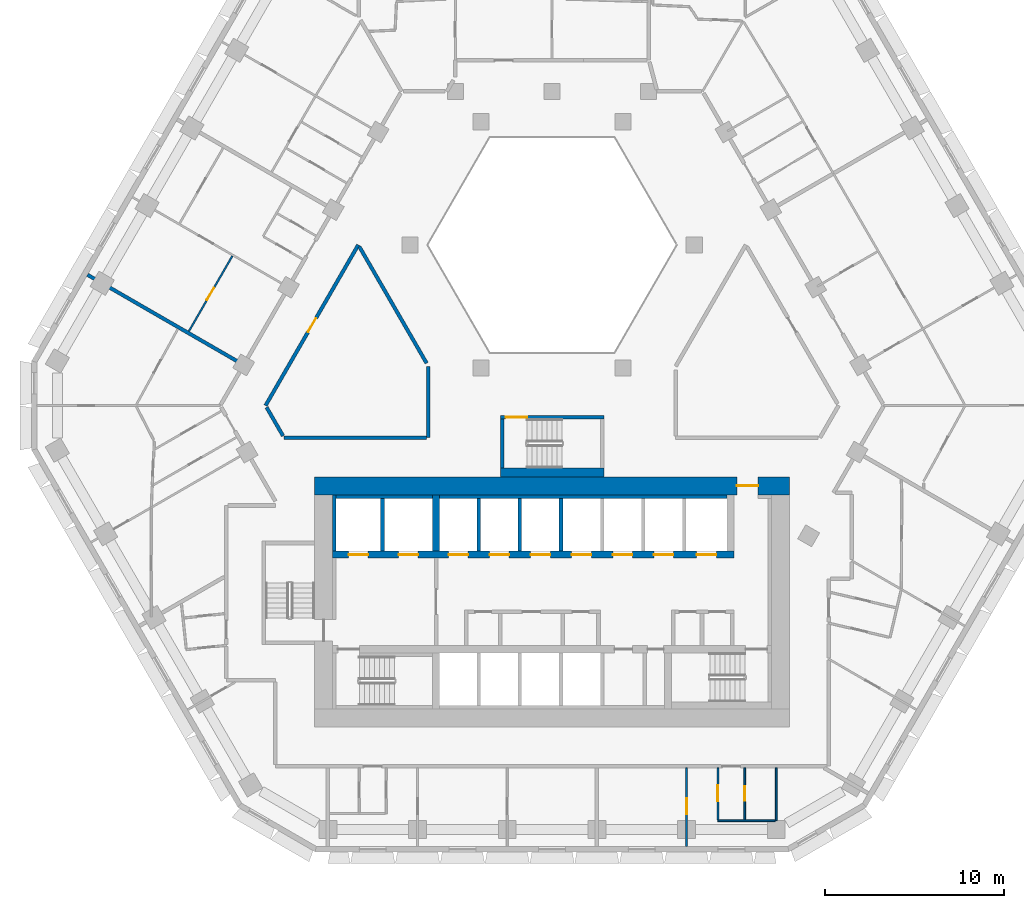
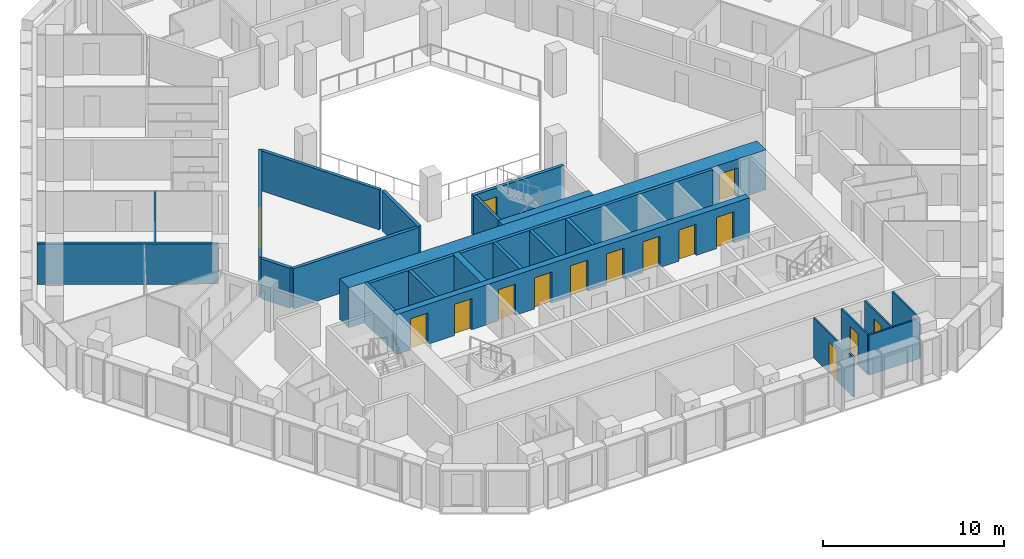
# One storey, part 5 of 16: 25 walls, 16 doors, 16 openings.
"""IFC4 building model written with IfcOpenShell, lengths in metres."""

import ifcopenshell
import ifcopenshell.guid

model = None  # the IFC model being written
_history = None  # IfcOwnerHistory: only IFC2X3 demands one
_inside = {}  # id of a spatial element -> (the spatial element, [elements in it])
_under = {}  # id of a project, library or spatial element -> (it, [spatial elements below it])
_declared = {}  # id of a project -> (the project, [libraries it declares])
_typed = {}  # id of a type object -> (the type object, [elements of that type])
_made_of = {}  # id of a material, layer set ... -> (it, [elements and type objects made of it])


def new_model(schema):
    """Start an empty IFC model of exactly this schema.

    Asked for "IFC4X3", IfcOpenShell would pick the latest addendum, in which some entities
    have other attributes; the version numbers below select the first issue.
    IFC2X3 requires an IfcOwnerHistory on every rooted entity: one is made here for all.
    """
    global model, _history
    if schema == "IFC4X3":
        model = ifcopenshell.file(schema_version=(4, 3, 0, 0))
    else:
        model = ifcopenshell.file(schema=schema)
    _inside.clear()
    _under.clear()
    _declared.clear()
    _typed.clear()
    _made_of.clear()
    _history = None
    if model.schema == "IFC2X3":
        org = make("IfcOrganization", Name="unknown")
        user = make(
            "IfcPersonAndOrganization",
            ThePerson=make("IfcPerson", FamilyName="unknown"),
            TheOrganization=org,
        )
        app = make(
            "IfcApplication",
            ApplicationDeveloper=org,
            Version="unknown",
            ApplicationFullName="unknown",
            ApplicationIdentifier="unknown",
        )
        _history = make(
            "IfcOwnerHistory",
            OwningUser=user,
            OwningApplication=app,
            ChangeAction="ADDED",
            CreationDate=0,
        )
    return model


def make(cls, **values):
    """One entity of the class cls with the attributes given. An attribute that is None is left unset."""
    return model.create_entity(
        cls, **{name: value for name, value in values.items() if value is not None}
    )


def rooted(cls, **values):
    """An entity with a GlobalId (a new one), such as an element, a storey or a relation."""
    return make(cls, GlobalId=ifcopenshell.guid.new(), OwnerHistory=_history, **values)


def si_unit(unit_type, name, prefix=None):
    """IfcSIUnit, for example si_unit("LENGTHUNIT", "METRE", prefix="MILLI")."""
    return make("IfcSIUnit", UnitType=unit_type, Prefix=prefix, Name=name)


def assignment(units):
    """IfcUnitAssignment: the units of a project."""
    return None if units is None else make("IfcUnitAssignment", Units=units)


def point(xyz):
    """IfcCartesianPoint."""
    return None if xyz is None else make("IfcCartesianPoint", Coordinates=xyz)


def direction(xyz):
    """IfcDirection."""
    return None if xyz is None else make("IfcDirection", DirectionRatios=xyz)


def frame(location, z_axis=None, x_axis=None):
    """IfcAxis2Placement3D, a coordinate frame: its origin and axes. An axis left out is left unset."""
    return make(
        "IfcAxis2Placement3D",
        Location=point(location),
        Axis=direction(z_axis),
        RefDirection=direction(x_axis),
    )


def frame_2d(location, x_axis=None):
    """IfcAxis2Placement2D, a coordinate frame in the plane: its origin and x axis."""
    return make(
        "IfcAxis2Placement2D", Location=point(location), RefDirection=direction(x_axis)
    )


def origin():
    """The frame at (0, 0, 0) with its axes left unset."""
    return frame((0.0, 0.0, 0.0))


def place(relative_to, where):
    """IfcLocalPlacement: puts the frame where relative to a parent placement (None: the world)."""
    return make(
        "IfcLocalPlacement", PlacementRelTo=relative_to, RelativePlacement=where
    )


def context(
    kind, dimensions, precision=None, world=None, true_north=None, identifier=None
):
    """IfcGeometricRepresentationContext, for example the 3D "Model" context."""
    return make(
        "IfcGeometricRepresentationContext",
        ContextIdentifier=identifier,
        ContextType=kind,
        CoordinateSpaceDimension=dimensions,
        Precision=precision,
        WorldCoordinateSystem=world,
        TrueNorth=true_north,
    )


def subcontext(parent, identifier, kind, view, scale=None):
    """IfcGeometricRepresentationSubContext, for example "Body" below "Model"."""
    return make(
        "IfcGeometricRepresentationSubContext",
        ContextIdentifier=identifier,
        ContextType=kind,
        ParentContext=parent,
        TargetScale=scale,
        TargetView=view,
    )


def project(units=None, contexts=None):
    """IfcProject with its units and contexts."""
    return rooted(
        "IfcProject",
        Name="project",
        RepresentationContexts=contexts,
        UnitsInContext=assignment(units),
    )


def spatial(cls, under=None, at=None, **own):
    """A site, building, storey or space (cls), placed at a placement, below another one or the project."""
    s = rooted(cls, ObjectPlacement=at, **own)
    if under is not None:
        _under.setdefault(under.id(), (under, []))[1].append(s)
    return s


def profile(cls, at=None, kind="AREA", **sizes):
    """A parametric profile (cls). Its sizes go by their IFC names, for example OverallWidth=200.0."""
    return make(cls, ProfileType=kind, Position=at, **sizes)


def rectangle(**sizes):
    """IfcRectangleProfileDef."""
    return profile("IfcRectangleProfileDef", **sizes)


def extrude(swept, where, along, depth):
    """IfcExtrudedAreaSolid: the profile swept, set in the frame where, extruded along a direction by depth."""
    return make(
        "IfcExtrudedAreaSolid",
        SweptArea=swept,
        Position=where,
        ExtrudedDirection=direction(along),
        Depth=depth,
    )


def shape(context_of_items, identifier, shape_type, items):
    """IfcShapeRepresentation: the items that make up one representation, for example the "Body"."""
    return make(
        "IfcShapeRepresentation",
        ContextOfItems=context_of_items,
        RepresentationIdentifier=identifier,
        RepresentationType=shape_type,
        Items=items,
    )


def material(Name=None, Category=None):
    """IfcMaterial."""
    return make("IfcMaterial", Name=Name, Category=Category)


def layer(
    of_material, thickness, ventilated=None, Name=None, Category=None, Priority=None
):
    """IfcMaterialLayer: one layer of a wall or slab, of a material (None: an air gap)."""
    return make(
        "IfcMaterialLayer",
        Material=of_material,
        LayerThickness=thickness,
        IsVentilated=ventilated,
        Name=Name,
        Category=Category,
        Priority=Priority,
    )


def layer_set(layers, Name=None):
    """IfcMaterialLayerSet."""
    return make("IfcMaterialLayerSet", MaterialLayers=layers, LayerSetName=Name)


def made_of(thing, what):
    """Note that an element or type object is made of a material, layer set ...; save() writes the relation."""
    if what is not None:
        _made_of.setdefault(what.id(), (what, []))[1].append(thing)
    return thing


def type_object(cls, material=None, **own):
    """A type object (cls), such as IfcWallType, which elements share."""
    return made_of(rooted(cls, **own), material)


def element(
    cls,
    number,
    at=None,
    inside=None,
    cuts=None,
    type_object=None,
    material=None,
    context=None,
    identifier="Body",
    shape_type=None,
    held_by="IfcProductDefinitionShape",
    body=None,
    shapes=None,
    **own,
):
    """One element of the class cls, such as IfcWall. Its Tag is "e" and its number.

    at: its placement. inside: the storey or other place that contains it. cuts: it is an
    opening in that element (IfcRelVoidsElement). A single representation is given by context,
    identifier, shape_type and body (its items); several are given by shapes. held_by: the class
    of the entity that holds the representations. save() writes the other relations.
    """
    e = rooted(cls, Tag="e%d" % number, ObjectPlacement=at, **own)
    if body is not None:
        shapes = [shape(context, identifier, shape_type, body)]
    if shapes is not None:
        e.Representation = make(held_by, Representations=shapes)
    if inside is not None:
        _inside.setdefault(inside.id(), (inside, []))[1].append(e)
    if cuts is not None:
        rooted(
            "IfcRelVoidsElement", RelatingBuildingElement=cuts, RelatedOpeningElement=e
        )
    if type_object is not None:
        _typed.setdefault(type_object.id(), (type_object, []))[1].append(e)
    return made_of(e, material)


def fill(opening, filler):
    """IfcRelFillsElement: the door or window that sits in an opening."""
    return rooted(
        "IfcRelFillsElement",
        RelatingOpeningElement=opening,
        RelatedBuildingElement=filler,
    )


def aggregate(whole, parts):
    """IfcRelAggregates: a whole, such as a stair, and the parts it consists of."""
    return rooted("IfcRelAggregates", RelatingObject=whole, RelatedObjects=parts)


def save(model, path):
    """Write the relations noted so far, then the file.

    IfcRelAggregates (storeys below a building ...), IfcRelContainedInSpatialStructure (elements
    in a storey), IfcRelDefinesByType, IfcRelAssociatesMaterial and IfcRelDeclares: one each for
    every whole, place, type object, material and project.
    """
    for whole, parts in _under.values():
        aggregate(whole, parts)
    for where, things in _inside.values():
        rooted(
            "IfcRelContainedInSpatialStructure",
            RelatedElements=things,
            RelatingStructure=where,
        )
    for kind, things in _typed.values():
        rooted("IfcRelDefinesByType", RelatedObjects=things, RelatingType=kind)
    for what, things in _made_of.values():
        rooted("IfcRelAssociatesMaterial", RelatedObjects=things, RelatingMaterial=what)
    for by, libraries in _declared.values():
        rooted("IfcRelDeclares", RelatingContext=by, RelatedDefinitions=libraries)
    model.write(path)


model = new_model("IFC4")

# Units and contexts
model_context = context("Model", 3, precision=1e-05, world=origin(), true_north=direction((0.0, 1.0)))
body_context = subcontext(model_context, "Body", "Model", "MODEL_VIEW")
ifc_project = project(units=[si_unit("LENGTHUNIT", "METRE"), si_unit("AREAUNIT", "SQUARE_METRE"), si_unit("VOLUMEUNIT", "CUBIC_METRE"), si_unit("PLANEANGLEUNIT", "RADIAN"), si_unit("MASSUNIT", "GRAM", prefix="KILO")], contexts=[model_context])

# Site, building, storey
site_placement = place(None, origin())
site = spatial("IfcSite", under=ifc_project, at=site_placement, CompositionType="ELEMENT")
building_placement = place(site_placement, origin())
building = spatial("IfcBuilding", under=site, at=building_placement, Name="Beryl Residences", CompositionType="ELEMENT")
storey_placement = place(building_placement, frame((0.0, 0.0, 96.0)))
storey = spatial("IfcBuildingStorey", under=building, at=storey_placement, Name="L29", CompositionType="ELEMENT", Elevation=96.0)

# Wall, opening, door
ifc_material_1 = material(Name="Gypsum board partition on steel studs", Category="steel")
ifc_layer_1 = layer(ifc_material_1, 0.10009765625)
ifc_layer_set_1 = layer_set([ifc_layer_1], Name="PT1 partition 100 mm gypsum board on steel studs")
wall_type_1 = type_object("IfcWallType", Name="PT1 partition 100 mm gypsum board on steel studs", PredefinedType="PARTITIONING", material=ifc_layer_set_1)
wall_1_placement = place(storey_placement, frame((9.29296875, -21.300048828125, 0.0), z_axis=(0.0, 0.0, 1.0), x_axis=(0.0, -1.0, 0.0)))
wall_1 = element("IfcWall", 1, at=wall_1_placement, inside=storey, type_object=wall_type_1, Name="Wall PT1 L29 011", PredefinedType="PARTITIONING", context=body_context, shape_type="SweptSolid", body=[
    extrude(rectangle(XDim=2.908935546875, YDim=0.10009765625, at=frame_2d((1.45458984375, 0.0))), origin(), (0.0, 0.0, 1.0), 2.699951171875),
])
opening_1_placement = place(wall_1_placement, frame((0.97998046875, 0.0, 0.0)))
opening_1 = element("IfcOpeningElement", 2, at=opening_1_placement, cuts=wall_1, Name="Opening D0907", PredefinedType="OPENING", context=body_context, shape_type="SweptSolid", body=[
    extrude(rectangle(XDim=0.89990234375, YDim=2.10009765625, at=frame_2d((0.449951171875, 1.050048828125))), frame((0.0, 0.06005859375, 0.0), z_axis=(0.0, -1.0, 0.0), x_axis=(1.0, 0.0, 0.0)), (0.0, 0.0, 1.0), 0.1201171875),
])
ifc_material_2 = material(Name="Timber door leaf", Category="wood")
door_type_1 = type_object("IfcDoorType", Name="D2 room door 900 x 2100 mm", OperationType="SINGLE_SWING_LEFT", PredefinedType="DOOR", material=ifc_material_2)
door_1_placement = place(opening_1_placement, origin())
door_1 = element("IfcDoor", 3, at=door_1_placement, inside=storey, type_object=door_type_1, Name="Door D0907 L29 001", OperationType="SINGLE_SWING_LEFT", OverallHeight=2.10009765625, OverallWidth=0.89990234375, PredefinedType="DOOR", context=body_context, shape_type="SweptSolid", body=[
    extrude(rectangle(XDim=0.89990234375, YDim=2.10009765625, at=frame_2d((0.449951171875, 1.050048828125))), frame((0.0, 0.02490234375, 0.0), z_axis=(0.0, -1.0, 0.0), x_axis=(1.0, 0.0, 0.0)), (0.0, 0.0, 1.0), 0.050048828125),
])
fill(opening_1, door_1)

# Wall
wall_2_placement = place(storey_placement, frame((9.2939453125, -24.260009765625, 0.0), z_axis=(0.0, 0.0, 1.0), x_axis=(1.0, 0.0, 0.0)))
element("IfcWall", 4, at=wall_2_placement, inside=storey, type_object=wall_type_1, Name="Wall PT1 L29 029", PredefinedType="PARTITIONING", context=body_context, shape_type="SweptSolid", body=[
    extrude(rectangle(XDim=3.213134765625, YDim=0.10009765625, at=frame_2d((1.6064453125, 0.0))), origin(), (0.0, 0.0, 1.0), 2.699951171875),
])

# Wall, opening, door
wall_3_placement = place(storey_placement, frame((-20.344970703125, 3.162109375, 0.0), z_axis=(0.0, 0.0, 1.0), x_axis=(0.499943653708, 0.866057932887, 0.0)))
wall_3 = element("IfcWall", 5, at=wall_3_placement, inside=storey, type_object=wall_type_1, Name="Wall PT1 L29 037", PredefinedType="PARTITIONING", context=body_context, shape_type="SweptSolid", body=[
    extrude(rectangle(XDim=4.87255859375, YDim=0.10009765625, at=frame_2d((2.436279296875, 0.0))), origin(), (0.0, 0.0, 1.0), 2.699951171875),
])
opening_2_placement = place(wall_3_placement, frame((2.010986328125, 0.0, 0.0)))
opening_2 = element("IfcOpeningElement", 6, at=opening_2_placement, cuts=wall_3, Name="Opening D0949", PredefinedType="OPENING", context=body_context, shape_type="SweptSolid", body=[
    extrude(rectangle(XDim=0.800048828125, YDim=2.10009765625, at=frame_2d((0.39990234375, 1.050048828125))), frame((0.0, 0.06005859375, 0.0), z_axis=(0.0, -1.0, 0.0), x_axis=(1.0, 0.0, 0.0)), (0.0, 0.0, 1.0), 0.1201171875),
])
ifc_material_3 = material(Name="Timber door leaf", Category="wood")
door_type_2 = type_object("IfcDoorType", Name="D3 bathroom door 800 x 2100 mm", OperationType="SINGLE_SWING_LEFT", PredefinedType="DOOR", material=ifc_material_3)
door_2_placement = place(opening_2_placement, origin())
door_2 = element("IfcDoor", 7, at=door_2_placement, inside=storey, type_object=door_type_2, Name="Door D0949 L29 001", OperationType="SINGLE_SWING_LEFT", OverallHeight=2.10009765625, OverallWidth=0.800048828125, PredefinedType="DOOR", context=body_context, shape_type="SweptSolid", body=[
    extrude(rectangle(XDim=0.800048828125, YDim=2.10009765625, at=frame_2d((0.39990234375, 1.050048828125))), frame((0.0, 0.02490234375, 0.0), z_axis=(0.0, -1.0, 0.0), x_axis=(1.0, 0.0, 0.0)), (0.0, 0.0, 1.0), 0.050048828125),
])
fill(opening_2, door_2)

wall_4_placement = place(storey_placement, frame((7.534912109375, -25.699951171875, 0.0), z_axis=(0.0, 0.0, 1.0), x_axis=(0.0, 1.0, 0.0)))
wall_4 = element("IfcWall", 8, at=wall_4_placement, inside=storey, type_object=wall_type_1, Name="Wall PT1 L29 047", PredefinedType="PARTITIONING", context=body_context, shape_type="SweptSolid", body=[
    extrude(rectangle(XDim=4.39990234375, YDim=0.10009765625, at=frame_2d((2.199951171875, 0.0))), origin(), (0.0, 0.0, 1.0), 2.699951171875),
])
opening_3_placement = place(wall_4_placement, frame((1.800048828125, 0.0, 0.0)))
opening_3 = element("IfcOpeningElement", 9, at=opening_3_placement, cuts=wall_4, Name="Opening D0909", PredefinedType="OPENING", context=body_context, shape_type="SweptSolid", body=[
    extrude(rectangle(XDim=0.89990234375, YDim=2.10009765625, at=frame_2d((0.449951171875, 1.050048828125))), frame((0.0, 0.06005859375, 0.0), z_axis=(0.0, -1.0, 0.0), x_axis=(1.0, 0.0, 0.0)), (0.0, 0.0, 1.0), 0.1201171875),
])
door_3_placement = place(opening_3_placement, origin())
door_3 = element("IfcDoor", 10, at=door_3_placement, inside=storey, type_object=door_type_1, Name="Door D0909 L29 001", OperationType="SINGLE_SWING_LEFT", OverallHeight=2.10009765625, OverallWidth=0.89990234375, PredefinedType="DOOR", context=body_context, shape_type="SweptSolid", body=[
    extrude(rectangle(XDim=0.89990234375, YDim=2.10009765625, at=frame_2d((0.449951171875, 1.050048828125))), frame((0.0, 0.02490234375, 0.0), z_axis=(0.0, -1.0, 0.0), x_axis=(1.0, 0.0, 0.0)), (0.0, 0.0, 1.0), 0.050048828125),
])
fill(opening_3, door_3)

wall_5_placement = place(storey_placement, frame((10.800048828125, -24.2099609375, 0.0), z_axis=(0.0, 0.0, 1.0), x_axis=(0.0, 1.0, 0.0)))
wall_5 = element("IfcWall", 11, at=wall_5_placement, inside=storey, type_object=wall_type_1, Name="Wall PT1 L29 048", PredefinedType="PARTITIONING", context=body_context, shape_type="SweptSolid", body=[
    extrude(rectangle(XDim=2.909912109375, YDim=0.10009765625, at=frame_2d((1.455078125, 0.0))), origin(), (0.0, 0.0, 1.0), 2.699951171875),
])
opening_4_placement = place(wall_5_placement, frame((1.080078125, 0.0, 0.0)))
opening_4 = element("IfcOpeningElement", 12, at=opening_4_placement, cuts=wall_5, Name="Opening D0908", PredefinedType="OPENING", context=body_context, shape_type="SweptSolid", body=[
    extrude(rectangle(XDim=0.800048828125, YDim=2.10009765625, at=frame_2d((0.39990234375, 1.050048828125))), frame((0.0, 0.06005859375, 0.0), z_axis=(0.0, -1.0, 0.0), x_axis=(1.0, 0.0, 0.0)), (0.0, 0.0, 1.0), 0.1201171875),
])
door_4_placement = place(opening_4_placement, origin())
door_4 = element("IfcDoor", 13, at=door_4_placement, inside=storey, type_object=door_type_2, Name="Door D0908 L29 001", OperationType="SINGLE_SWING_RIGHT", OverallHeight=2.10009765625, OverallWidth=0.800048828125, PredefinedType="DOOR", context=body_context, shape_type="SweptSolid", body=[
    extrude(rectangle(XDim=0.800048828125, YDim=2.10009765625, at=frame_2d((0.39990234375, 1.050048828125))), frame((0.0, 0.02490234375, 0.0), z_axis=(0.0, -1.0, 0.0), x_axis=(1.0, 0.0, 0.0)), (0.0, 0.0, 1.0), 0.050048828125),
])
fill(opening_4, door_4)

# Walls
wall_6_placement = place(storey_placement, frame((12.55810546875, -24.259033203125, 0.0), z_axis=(0.0, 0.0, 1.0), x_axis=(0.0, 1.0, 0.0)))
element("IfcWall", 14, at=wall_6_placement, inside=storey, type_object=wall_type_1, Name="Wall PT1 L29 050", PredefinedType="PARTITIONING", context=body_context, shape_type="SweptSolid", body=[
    extrude(rectangle(XDim=2.958984375, YDim=0.10009765625, at=frame_2d((1.4794921875, 0.0))), origin(), (0.0, 0.0, 1.0), 2.699951171875),
])
ifc_material_4 = material(Name="Acoustic double stud gypsum board wall")
ifc_layer_2 = layer(ifc_material_4, 0.199951171875)
ifc_layer_set_2 = layer_set([ifc_layer_2], Name="PT3 party wall 200 mm acoustic double stud")
wall_type_2 = type_object("IfcWallType", Name="PT3 party wall 200 mm acoustic double stud", PredefinedType="PARTITIONING", material=ifc_layer_set_2)
wall_7_placement = place(storey_placement, frame((-26.02490234375, 6.324951171875, 0.0), z_axis=(0.0, 0.0, 1.0), x_axis=(0.866041268327, -0.499972520799, 0.0)))
element("IfcWall", 15, at=wall_7_placement, inside=storey, type_object=wall_type_2, Name="Wall PT3 L29 002", PredefinedType="PARTITIONING", context=body_context, shape_type="SweptSolid", body=[
    extrude(rectangle(XDim=10.00048828125, YDim=0.199951171875, at=frame_2d((5.000244140625, 0.0))), origin(), (0.0, 0.0, 1.0), 2.699951171875),
])
ifc_material_5 = material(Name="Double stud gypsum board wall")
ifc_layer_3 = layer(ifc_material_5, 0.199951171875)
ifc_layer_set_3 = layer_set([ifc_layer_3], Name="PT4 corridor wall 200 mm double stud")
wall_type_3 = type_object("IfcWallType", Name="PT4 corridor wall 200 mm double stud", PredefinedType="PARTITIONING", material=ifc_layer_set_3)
wall_8_placement = place(storey_placement, frame((-10.7958984375, 7.89892578125, 0.0), z_axis=(0.0, 0.0, 1.0), x_axis=(0.500010383074, -0.866019409031, 0.0)))
element("IfcWall", 16, at=wall_8_placement, inside=storey, type_object=wall_type_3, Name="Wall PT4 L29 001", PredefinedType="PARTITIONING", context=body_context, shape_type="SweptSolid", body=[
    extrude(rectangle(XDim=7.535400390625, YDim=0.199951171875, at=frame_2d((3.767578125, 0.0))), origin(), (0.0, 0.0, 1.0), 2.699951171875),
])
wall_9_placement = place(storey_placement, frame((-15.992919921875, -1.10107421875, 0.0), z_axis=(0.0, 0.0, 1.0), x_axis=(0.499894174133, -0.866086493757, 0.0)))
element("IfcWall", 17, at=wall_9_placement, inside=storey, type_object=wall_type_3, Name="Wall PT4 L29 002", PredefinedType="PARTITIONING", context=body_context, shape_type="SweptSolid", body=[
    extrude(rectangle(XDim=1.84619140625, YDim=0.199951171875, at=frame_2d((0.923095703125, 0.0))), origin(), (0.0, 0.0, 1.0), 2.699951171875),
])
wall_10_placement = place(storey_placement, frame((-15.010986328125, -2.800048828125, 0.0), z_axis=(0.0, 0.0, 1.0), x_axis=(1.0, 0.0, 0.0)))
element("IfcWall", 18, at=wall_10_placement, inside=storey, type_object=wall_type_3, Name="Wall PT4 L29 017", PredefinedType="PARTITIONING", context=body_context, shape_type="SweptSolid", body=[
    extrude(rectangle(XDim=7.98193359375, YDim=0.199951171875, at=frame_2d((3.990966796875, 0.0))), origin(), (0.0, 0.0, 1.0), 2.699951171875),
])

# Wall, opening, door
wall_11_placement = place(storey_placement, frame((-16.050048828125, -1.0, 0.0), z_axis=(0.0, 0.0, 1.0), x_axis=(0.499962449088, 0.866047082728, 0.0)))
wall_11 = element("IfcWall", 19, at=wall_11_placement, inside=storey, type_object=wall_type_3, Name="Wall PT4 L29 026", PredefinedType="PARTITIONING", context=body_context, shape_type="SweptSolid", body=[
    extrude(rectangle(XDim=10.390869140625, YDim=0.199951171875, at=frame_2d((5.1953125, 0.0))), origin(), (0.0, 0.0, 1.0), 2.699951171875),
])
opening_5_placement = place(wall_11_placement, frame((4.7451171875, 0.0, 0.0)))
opening_5 = element("IfcOpeningElement", 20, at=opening_5_placement, cuts=wall_11, Name="Opening D0962", PredefinedType="OPENING", context=body_context, shape_type="SweptSolid", body=[
    extrude(rectangle(XDim=0.89990234375, YDim=2.10009765625, at=frame_2d((0.449951171875, 1.050048828125))), frame((0.0, 0.10986328125, 0.0), z_axis=(0.0, -1.0, 0.0), x_axis=(1.0, 0.0, 0.0)), (0.0, 0.0, 1.0), 0.219970703125),
])
door_5_placement = place(opening_5_placement, origin())
door_5 = element("IfcDoor", 21, at=door_5_placement, inside=storey, type_object=door_type_1, Name="Door D0962 L29 001", OperationType="SINGLE_SWING_RIGHT", OverallHeight=2.10009765625, OverallWidth=0.89990234375, PredefinedType="DOOR", context=body_context, shape_type="SweptSolid", body=[
    extrude(rectangle(XDim=0.89990234375, YDim=2.10009765625, at=frame_2d((0.449951171875, 1.050048828125))), frame((0.0, 0.02490234375, 0.0), z_axis=(0.0, -1.0, 0.0), x_axis=(1.0, 0.0, 0.0)), (0.0, 0.0, 1.0), 0.050048828125),
])
fill(opening_5, door_5)

# Wall
wall_12_placement = place(storey_placement, frame((-6.927978515625, -2.799072265625, 0.0), z_axis=(0.0, 0.0, 1.0), x_axis=(0.0, 1.0, 0.0)))
element("IfcWall", 22, at=wall_12_placement, inside=storey, type_object=wall_type_3, Name="Wall PT4 L29 033", PredefinedType="PARTITIONING", context=body_context, shape_type="SweptSolid", body=[
    extrude(rectangle(XDim=3.9990234375, YDim=0.199951171875, at=frame_2d((1.99951171875, 0.0))), origin(), (0.0, 0.0, 1.0), 2.699951171875),
])

# Wall, opening, door
ifc_material_6 = material(Name="Concrete C40/50", Category="concrete")
ifc_layer_4 = layer(ifc_material_6, 0.199951171875)
ifc_layer_set_4 = layer_set([ifc_layer_4], Name="PT5 stair enclosure wall 200 mm reinforced concrete C40/50")
wall_type_4 = type_object("IfcWallType", Name="PT5 stair enclosure wall 200 mm reinforced concrete C40/50", PredefinedType="SOLIDWALL", material=ifc_layer_set_4)
wall_13_placement = place(storey_placement, frame((-2.89990234375, -1.64990234375, 0.0), z_axis=(0.0, 0.0, 1.0), x_axis=(1.0, 0.0, 0.0)))
wall_13 = element("IfcWall", 23, at=wall_13_placement, inside=storey, type_object=wall_type_4, Name="Wall PT5 L29 001", PredefinedType="SOLIDWALL", context=body_context, shape_type="SweptSolid", body=[
    extrude(rectangle(XDim=5.7998046875, YDim=0.199951171875, at=frame_2d((2.89990234375, 0.0))), origin(), (0.0, 0.0, 1.0), 2.699951171875),
])
opening_6_placement = place(wall_13_placement, frame((0.300048828125, 0.0, 0.0)))
opening_6 = element("IfcOpeningElement", 24, at=opening_6_placement, cuts=wall_13, Name="Opening DS04", PredefinedType="OPENING", context=body_context, shape_type="SweptSolid", body=[
    extrude(rectangle(XDim=1.199951171875, YDim=2.10009765625, at=frame_2d((0.60009765625, 1.050048828125))), frame((0.0, 0.10986328125, 0.0), z_axis=(0.0, -1.0, 0.0), x_axis=(1.0, 0.0, 0.0)), (0.0, 0.0, 1.0), 0.219970703125),
])
ifc_material_7 = material(Name="Steel door leaf in steel frame", Category="steel")
door_type_3 = type_object("IfcDoorType", Name="D4 stair door 1200 x 2100 mm", OperationType="SINGLE_SWING_LEFT", PredefinedType="DOOR", material=ifc_material_7)
door_6_placement = place(opening_6_placement, origin())
door_6 = element("IfcDoor", 25, at=door_6_placement, inside=storey, type_object=door_type_3, Name="Door DS04 L29 001", OperationType="SINGLE_SWING_LEFT", OverallHeight=2.10009765625, OverallWidth=1.199951171875, PredefinedType="DOOR", context=body_context, shape_type="SweptSolid", body=[
    extrude(rectangle(XDim=1.199951171875, YDim=2.10009765625, at=frame_2d((0.60009765625, 1.050048828125))), frame((0.0, 0.02490234375, 0.0), z_axis=(0.0, -1.0, 0.0), x_axis=(1.0, 0.0, 0.0)), (0.0, 0.0, 1.0), 0.050048828125),
])
fill(opening_6, door_6)

# Walls
wall_14_placement = place(storey_placement, frame((-2.800048828125, -4.5, 0.0), z_axis=(0.0, 0.0, 1.0), x_axis=(0.0, 1.0, 0.0)))
element("IfcWall", 26, at=wall_14_placement, inside=storey, type_object=wall_type_4, Name="Wall PT5 L29 002", PredefinedType="SOLIDWALL", context=body_context, shape_type="SweptSolid", body=[
    extrude(rectangle(XDim=2.75, YDim=0.199951171875, at=frame_2d((1.375, 0.0))), origin(), (0.0, 0.0, 1.0), 2.699951171875),
])
ifc_material_8 = material(Name="Concrete C40/50", Category="concrete")
ifc_layer_5 = layer(ifc_material_8, 0.5)
ifc_layer_set_5 = layer_set([ifc_layer_5], Name="PT5-500 stair enclosure wall 500 mm")
wall_type_5 = type_object("IfcWallType", Name="PT5-500 stair enclosure wall 500 mm", PredefinedType="SOLIDWALL", material=ifc_layer_set_5)
wall_15_placement = place(storey_placement, frame((-2.89990234375, -4.75, 0.0), z_axis=(0.0, 0.0, 1.0), x_axis=(1.0, 0.0, 0.0)))
element("IfcWall", 27, at=wall_15_placement, inside=storey, type_object=wall_type_5, Name="Wall PT5-500 L29 001", PredefinedType="SOLIDWALL", context=body_context, shape_type="SweptSolid", body=[
    extrude(rectangle(XDim=5.7998046875, YDim=0.5, at=frame_2d((2.89990234375, 0.0))), origin(), (0.0, 0.0, 1.0), 2.699951171875),
])
ifc_material_9 = material(Name="Concrete C40/50", Category="concrete")
ifc_layer_6 = layer(ifc_material_9, 0.199951171875)
ifc_layer_set_6 = layer_set([ifc_layer_6], Name="PT6 lift shaft wall 200 mm reinforced concrete C40/50")
wall_type_6 = type_object("IfcWallType", Name="PT6 lift shaft wall 200 mm reinforced concrete C40/50", PredefinedType="SOLIDWALL", material=ifc_layer_set_6)
wall_16_placement = place(storey_placement, frame((-12.199951171875, -9.14990234375, 0.0), z_axis=(0.0, 0.0, 1.0), x_axis=(0.0, 1.0, 0.0)))
element("IfcWall", 28, at=wall_16_placement, inside=storey, type_object=wall_type_6, Name="Lift shaft wall 06", PredefinedType="SOLIDWALL", context=body_context, shape_type="SweptSolid", body=[
    extrude(rectangle(XDim=3.14990234375, YDim=0.199951171875, at=frame_2d((1.574951171875, 0.0))), origin(), (0.0, 0.0, 1.0), 2.699951171875),
])
wall_17_placement = place(storey_placement, frame((-12.10009765625, -6.10009765625, 0.0), z_axis=(0.0, 0.0, 1.0), x_axis=(1.0, 0.0, 0.0)))
element("IfcWall", 29, at=wall_17_placement, inside=storey, type_object=wall_type_6, Name="Lift shaft wall 08", PredefinedType="SOLIDWALL", context=body_context, shape_type="SweptSolid", body=[
    extrude(rectangle(XDim=5.400146484375, YDim=0.199951171875, at=frame_2d((2.7001953125, 0.0))), origin(), (0.0, 0.0, 1.0), 2.699951171875),
])
wall_18_placement = place(storey_placement, frame((-9.5, -9.14990234375, 0.0), z_axis=(0.0, 0.0, 1.0), x_axis=(0.0, 1.0, 0.0)))
element("IfcWall", 30, at=wall_18_placement, inside=storey, type_object=wall_type_6, Name="Lift shaft wall 10", PredefinedType="SOLIDWALL", context=body_context, shape_type="SweptSolid", body=[
    extrude(rectangle(XDim=2.949951171875, YDim=0.199951171875, at=frame_2d((1.47509765625, 0.0))), origin(), (0.0, 0.0, 1.0), 2.699951171875),
])
wall_19_placement = place(storey_placement, frame((-6.300048828125, -6.10009765625, 0.0), z_axis=(0.0, 0.0, 1.0), x_axis=(1.0, 0.0, 0.0)))
element("IfcWall", 31, at=wall_19_placement, inside=storey, type_object=wall_type_6, Name="Lift shaft wall 13", PredefinedType="SOLIDWALL", context=body_context, shape_type="SweptSolid", body=[
    extrude(rectangle(XDim=16.10009765625, YDim=0.199951171875, at=frame_2d((8.050048828125, 0.0))), origin(), (0.0, 0.0, 1.0), 2.699951171875),
])
for number, where, z_axis, x_axis, name in (
    (32, (-4.10009765625, -9.14990234375, 0.0), (0.0, 0.0, 1.0), (0.0, 1.0, 0.0), "Lift shaft wall 17"),
    (33, (-1.800048828125, -9.14990234375, 0.0), (0.0, 0.0, 1.0), (0.0, 1.0, 0.0), "Lift shaft wall 20"),
    (34, (0.5, -9.14990234375, 0.0), (0.0, 0.0, 1.0), (0.0, 1.0, 0.0), "Lift shaft wall 22"),
):
    element("IfcWall", number, at=place(storey_placement, frame(where, z_axis=z_axis, x_axis=x_axis)), inside=storey, type_object=wall_type_6, Name=name, PredefinedType="SOLIDWALL", context=body_context, shape_type="SweptSolid", body=[
        extrude(rectangle(XDim=2.949951171875, YDim=0.199951171875, at=frame_2d((1.47509765625, 0.0))), origin(), (0.0, 0.0, 1.0), 2.699951171875),
    ])

# Wall, opening, door
ifc_material_10 = material(Name="Concrete C70/85", Category="concrete")
ifc_layer_7 = layer(ifc_material_10, 1.0)
ifc_layer_set_7 = layer_set([ifc_layer_7], Name="SW2 core outer wall 1000 mm C70/85")
wall_type_7 = type_object("IfcWallType", Name="SW2 core outer wall 1000 mm C70/85", PredefinedType="SHEAR", material=ifc_layer_set_7)
wall_20_placement = place(storey_placement, frame((-13.300048828125, -5.5, 0.0), z_axis=(0.0, 0.0, 1.0), x_axis=(1.0, 0.0, 0.0)))
wall_20 = element("IfcWall", 35, at=wall_20_placement, inside=storey, type_object=wall_type_7, Name="Core wall N L29", PredefinedType="SHEAR", context=body_context, shape_type="SweptSolid", body=[
    extrude(rectangle(XDim=26.60009765625, YDim=1.0, at=frame_2d((13.300048828125, 0.0))), origin(), (0.0, 0.0, 1.0), 2.699951171875),
])
opening_7_placement = place(wall_20_placement, frame((23.64990234375, 0.0, 0.0)))
opening_7 = element("IfcOpeningElement", 36, at=opening_7_placement, cuts=wall_20, Name="Opening FD-NORTH", PredefinedType="OPENING", context=body_context, shape_type="SweptSolid", body=[
    extrude(rectangle(XDim=1.199951171875, YDim=2.10009765625, at=frame_2d((0.60009765625, 1.050048828125))), frame((0.0, 0.510009765625, 0.0), z_axis=(0.0, -1.0, 0.0), x_axis=(1.0, 0.0, 0.0)), (0.0, 0.0, 1.0), 1.02001953125),
])
ifc_material_11 = material(Name="Steel door leaf in steel frame", Category="steel")
door_type_4 = type_object("IfcDoorType", Name="D22 lobby door 1200 x 2100 mm", OperationType="DOUBLE_DOOR_SINGLE_SWING", PredefinedType="DOOR", material=ifc_material_11)
door_7_placement = place(opening_7_placement, origin())
door_7 = element("IfcDoor", 37, at=door_7_placement, inside=storey, type_object=door_type_4, Name="Door FD-NORTH L29 001", OperationType="DOUBLE_DOOR_SINGLE_SWING", OverallHeight=2.10009765625, OverallWidth=1.199951171875, PredefinedType="DOOR", context=body_context, shape_type="SweptSolid", body=[
    extrude(rectangle(XDim=1.199951171875, YDim=2.10009765625, at=frame_2d((0.60009765625, 1.050048828125))), frame((0.0, 0.02490234375, 0.0), z_axis=(0.0, -1.0, 0.0), x_axis=(1.0, 0.0, 0.0)), (0.0, 0.0, 1.0), 0.050048828125),
])
fill(opening_7, door_7)

# Wall, openings, doors
ifc_material_12 = material(Name="Concrete C70/85", Category="concrete")
ifc_layer_8 = layer(ifc_material_12, 0.39990234375)
ifc_layer_set_8 = layer_set([ifc_layer_8], Name="SW7 core internal wall 400 mm C70/85")
wall_type_8 = type_object("IfcWallType", Name="SW7 core internal wall 400 mm C70/85", PredefinedType="SHEAR", material=ifc_layer_set_8)
wall_21_placement = place(storey_placement, frame((-12.300048828125, -9.35009765625, 0.0), z_axis=(0.0, 0.0, 1.0), x_axis=(1.0, 0.0, 0.0)))
wall_21 = element("IfcWall", 38, at=wall_21_placement, inside=storey, type_object=wall_type_8, Name="Core wall SP2 L29", PredefinedType="SHEAR", context=body_context, shape_type="SweptSolid", body=[
    extrude(rectangle(XDim=22.5, YDim=0.39990234375, at=frame_2d((11.25, 0.0))), origin(), (0.0, 0.0, 1.0), 2.699951171875),
])
opening_8_placement = place(wall_21_placement, frame((0.89990234375, 0.0, 0.0)))
opening_8 = element("IfcOpeningElement", 39, at=opening_8_placement, cuts=wall_21, Name="Opening LD-FF1", PredefinedType="OPENING", context=body_context, shape_type="SweptSolid", body=[
    extrude(rectangle(XDim=1.10009765625, YDim=2.10009765625, at=frame_2d((0.550048828125, 1.050048828125))), frame((0.0, 0.2099609375, 0.0), z_axis=(0.0, -1.0, 0.0), x_axis=(1.0, 0.0, 0.0)), (0.0, 0.0, 1.0), 0.419921875),
])
opening_9_placement = place(wall_21_placement, frame((3.699951171875, 0.0, 0.0)))
opening_9 = element("IfcOpeningElement", 40, at=opening_9_placement, cuts=wall_21, Name="Opening LD-FF2", PredefinedType="OPENING", context=body_context, shape_type="SweptSolid", body=[
    extrude(rectangle(XDim=1.10009765625, YDim=2.10009765625, at=frame_2d((0.550048828125, 1.050048828125))), frame((0.0, 0.2099609375, 0.0), z_axis=(0.0, -1.0, 0.0), x_axis=(1.0, 0.0, 0.0)), (0.0, 0.0, 1.0), 0.419921875),
])
opening_10_placement = place(wall_21_placement, frame((6.5, 0.0, 0.0)))
opening_10 = element("IfcOpeningElement", 41, at=opening_10_placement, cuts=wall_21, Name="Opening LD-LR1", PredefinedType="OPENING", context=body_context, shape_type="SweptSolid", body=[
    extrude(rectangle(XDim=1.10009765625, YDim=2.10009765625, at=frame_2d((0.550048828125, 1.050048828125))), frame((0.0, 0.2099609375, 0.0), z_axis=(0.0, -1.0, 0.0), x_axis=(1.0, 0.0, 0.0)), (0.0, 0.0, 1.0), 0.419921875),
])
opening_11_placement = place(wall_21_placement, frame((8.800048828125, 0.0, 0.0)))
opening_11 = element("IfcOpeningElement", 42, at=opening_11_placement, cuts=wall_21, Name="Opening LD-LR2", PredefinedType="OPENING", context=body_context, shape_type="SweptSolid", body=[
    extrude(rectangle(XDim=1.10009765625, YDim=2.10009765625, at=frame_2d((0.550048828125, 1.050048828125))), frame((0.0, 0.2099609375, 0.0), z_axis=(0.0, -1.0, 0.0), x_axis=(1.0, 0.0, 0.0)), (0.0, 0.0, 1.0), 0.419921875),
])
opening_12_placement = place(wall_21_placement, frame((11.10009765625, 0.0, 0.0)))
opening_12 = element("IfcOpeningElement", 43, at=opening_12_placement, cuts=wall_21, Name="Opening LD-LR3", PredefinedType="OPENING", context=body_context, shape_type="SweptSolid", body=[
    extrude(rectangle(XDim=1.10009765625, YDim=2.10009765625, at=frame_2d((0.550048828125, 1.050048828125))), frame((0.0, 0.2099609375, 0.0), z_axis=(0.0, -1.0, 0.0), x_axis=(1.0, 0.0, 0.0)), (0.0, 0.0, 1.0), 0.419921875),
])
opening_13_placement = place(wall_21_placement, frame((13.39990234375, 0.0, 0.0)))
opening_13 = element("IfcOpeningElement", 44, at=opening_13_placement, cuts=wall_21, Name="Opening LD-LR4", PredefinedType="OPENING", context=body_context, shape_type="SweptSolid", body=[
    extrude(rectangle(XDim=1.10009765625, YDim=2.10009765625, at=frame_2d((0.550048828125, 1.050048828125))), frame((0.0, 0.2099609375, 0.0), z_axis=(0.0, -1.0, 0.0), x_axis=(1.0, 0.0, 0.0)), (0.0, 0.0, 1.0), 0.419921875),
])
opening_14_placement = place(wall_21_placement, frame((15.699951171875, 0.0, 0.0)))
opening_14 = element("IfcOpeningElement", 45, at=opening_14_placement, cuts=wall_21, Name="Opening LD-LR5", PredefinedType="OPENING", context=body_context, shape_type="SweptSolid", body=[
    extrude(rectangle(XDim=1.10009765625, YDim=2.10009765625, at=frame_2d((0.550048828125, 1.050048828125))), frame((0.0, 0.2099609375, 0.0), z_axis=(0.0, -1.0, 0.0), x_axis=(1.0, 0.0, 0.0)), (0.0, 0.0, 1.0), 0.419921875),
])
opening_15_placement = place(wall_21_placement, frame((18.0, 0.0, 0.0)))
opening_15 = element("IfcOpeningElement", 46, at=opening_15_placement, cuts=wall_21, Name="Opening LD-LR6", PredefinedType="OPENING", context=body_context, shape_type="SweptSolid", body=[
    extrude(rectangle(XDim=1.10009765625, YDim=2.10009765625, at=frame_2d((0.550048828125, 1.050048828125))), frame((0.0, 0.2099609375, 0.0), z_axis=(0.0, -1.0, 0.0), x_axis=(1.0, 0.0, 0.0)), (0.0, 0.0, 1.0), 0.419921875),
])
opening_16_placement = place(wall_21_placement, frame((20.39990234375, 0.0, 0.0)))
opening_16 = element("IfcOpeningElement", 47, at=opening_16_placement, cuts=wall_21, Name="Opening LD-SL1", PredefinedType="OPENING", context=body_context, shape_type="SweptSolid", body=[
    extrude(rectangle(XDim=1.10009765625, YDim=2.10009765625, at=frame_2d((0.550048828125, 1.050048828125))), frame((0.0, 0.2099609375, 0.0), z_axis=(0.0, -1.0, 0.0), x_axis=(1.0, 0.0, 0.0)), (0.0, 0.0, 1.0), 0.419921875),
])
ifc_material_13 = material(Name="Stainless steel sliding door", Category="steel")
door_type_5 = type_object("IfcDoorType", Name="LD1 lift landing door 1100 x 2100 mm", OperationType="DOUBLE_DOOR_SLIDING", PredefinedType="DOOR", material=ifc_material_13)
door_8_placement = place(opening_8_placement, origin())
door_8 = element("IfcDoor", 48, at=door_8_placement, inside=storey, type_object=door_type_5, Name="Lift landing door FF1", OperationType="DOUBLE_DOOR_SLIDING", OverallHeight=2.10009765625, OverallWidth=1.10009765625, PredefinedType="DOOR", context=body_context, shape_type="SweptSolid", body=[
    extrude(rectangle(XDim=1.10009765625, YDim=2.10009765625, at=frame_2d((0.550048828125, 1.050048828125))), frame((0.0, 0.02490234375, 0.0), z_axis=(0.0, -1.0, 0.0), x_axis=(1.0, 0.0, 0.0)), (0.0, 0.0, 1.0), 0.050048828125),
])
fill(opening_8, door_8)
door_9_placement = place(opening_9_placement, origin())
door_9 = element("IfcDoor", 49, at=door_9_placement, inside=storey, type_object=door_type_5, Name="Lift landing door FF2", OperationType="DOUBLE_DOOR_SLIDING", OverallHeight=2.10009765625, OverallWidth=1.10009765625, PredefinedType="DOOR", context=body_context, shape_type="SweptSolid", body=[
    extrude(rectangle(XDim=1.10009765625, YDim=2.10009765625, at=frame_2d((0.550048828125, 1.050048828125))), frame((0.0, 0.02490234375, 0.0), z_axis=(0.0, -1.0, 0.0), x_axis=(1.0, 0.0, 0.0)), (0.0, 0.0, 1.0), 0.050048828125),
])
fill(opening_9, door_9)
door_10_placement = place(opening_10_placement, origin())
door_10 = element("IfcDoor", 50, at=door_10_placement, inside=storey, type_object=door_type_5, Name="Lift landing door LR1", OperationType="DOUBLE_DOOR_SLIDING", OverallHeight=2.10009765625, OverallWidth=1.10009765625, PredefinedType="DOOR", context=body_context, shape_type="SweptSolid", body=[
    extrude(rectangle(XDim=1.10009765625, YDim=2.10009765625, at=frame_2d((0.550048828125, 1.050048828125))), frame((0.0, 0.02490234375, 0.0), z_axis=(0.0, -1.0, 0.0), x_axis=(1.0, 0.0, 0.0)), (0.0, 0.0, 1.0), 0.050048828125),
])
fill(opening_10, door_10)
door_11_placement = place(opening_11_placement, origin())
door_11 = element("IfcDoor", 51, at=door_11_placement, inside=storey, type_object=door_type_5, Name="Lift landing door LR2", OperationType="DOUBLE_DOOR_SLIDING", OverallHeight=2.10009765625, OverallWidth=1.10009765625, PredefinedType="DOOR", context=body_context, shape_type="SweptSolid", body=[
    extrude(rectangle(XDim=1.10009765625, YDim=2.10009765625, at=frame_2d((0.550048828125, 1.050048828125))), frame((0.0, 0.02490234375, 0.0), z_axis=(0.0, -1.0, 0.0), x_axis=(1.0, 0.0, 0.0)), (0.0, 0.0, 1.0), 0.050048828125),
])
fill(opening_11, door_11)
door_12_placement = place(opening_12_placement, origin())
door_12 = element("IfcDoor", 52, at=door_12_placement, inside=storey, type_object=door_type_5, Name="Lift landing door LR3", OperationType="DOUBLE_DOOR_SLIDING", OverallHeight=2.10009765625, OverallWidth=1.10009765625, PredefinedType="DOOR", context=body_context, shape_type="SweptSolid", body=[
    extrude(rectangle(XDim=1.10009765625, YDim=2.10009765625, at=frame_2d((0.550048828125, 1.050048828125))), frame((0.0, 0.02490234375, 0.0), z_axis=(0.0, -1.0, 0.0), x_axis=(1.0, 0.0, 0.0)), (0.0, 0.0, 1.0), 0.050048828125),
])
fill(opening_12, door_12)
door_13_placement = place(opening_13_placement, origin())
door_13 = element("IfcDoor", 53, at=door_13_placement, inside=storey, type_object=door_type_5, Name="Lift landing door LR4", OperationType="DOUBLE_DOOR_SLIDING", OverallHeight=2.10009765625, OverallWidth=1.10009765625, PredefinedType="DOOR", context=body_context, shape_type="SweptSolid", body=[
    extrude(rectangle(XDim=1.10009765625, YDim=2.10009765625, at=frame_2d((0.550048828125, 1.050048828125))), frame((0.0, 0.02490234375, 0.0), z_axis=(0.0, -1.0, 0.0), x_axis=(1.0, 0.0, 0.0)), (0.0, 0.0, 1.0), 0.050048828125),
])
fill(opening_13, door_13)
door_14_placement = place(opening_14_placement, origin())
door_14 = element("IfcDoor", 54, at=door_14_placement, inside=storey, type_object=door_type_5, Name="Lift landing door LR5", OperationType="DOUBLE_DOOR_SLIDING", OverallHeight=2.10009765625, OverallWidth=1.10009765625, PredefinedType="DOOR", context=body_context, shape_type="SweptSolid", body=[
    extrude(rectangle(XDim=1.10009765625, YDim=2.10009765625, at=frame_2d((0.550048828125, 1.050048828125))), frame((0.0, 0.02490234375, 0.0), z_axis=(0.0, -1.0, 0.0), x_axis=(1.0, 0.0, 0.0)), (0.0, 0.0, 1.0), 0.050048828125),
])
fill(opening_14, door_14)
door_15_placement = place(opening_15_placement, origin())
door_15 = element("IfcDoor", 55, at=door_15_placement, inside=storey, type_object=door_type_5, Name="Lift landing door LR6", OperationType="DOUBLE_DOOR_SLIDING", OverallHeight=2.10009765625, OverallWidth=1.10009765625, PredefinedType="DOOR", context=body_context, shape_type="SweptSolid", body=[
    extrude(rectangle(XDim=1.10009765625, YDim=2.10009765625, at=frame_2d((0.550048828125, 1.050048828125))), frame((0.0, 0.02490234375, 0.0), z_axis=(0.0, -1.0, 0.0), x_axis=(1.0, 0.0, 0.0)), (0.0, 0.0, 1.0), 0.050048828125),
])
fill(opening_15, door_15)
door_16_placement = place(opening_16_placement, origin())
door_16 = element("IfcDoor", 56, at=door_16_placement, inside=storey, type_object=door_type_5, Name="Lift landing door SL1", OperationType="DOUBLE_DOOR_SLIDING", OverallHeight=2.10009765625, OverallWidth=1.10009765625, PredefinedType="DOOR", context=body_context, shape_type="SweptSolid", body=[
    extrude(rectangle(XDim=1.10009765625, YDim=2.10009765625, at=frame_2d((0.550048828125, 1.050048828125))), frame((0.0, 0.02490234375, 0.0), z_axis=(0.0, -1.0, 0.0), x_axis=(1.0, 0.0, 0.0)), (0.0, 0.0, 1.0), 0.050048828125),
])
fill(opening_16, door_16)

# Wall
wall_22_placement = place(storey_placement, frame((-6.5, -9.14990234375, 0.0), z_axis=(0.0, 0.0, 1.0), x_axis=(0.0, 1.0, 0.0)))
element("IfcWall", 57, at=wall_22_placement, inside=storey, type_object=wall_type_8, Name="Core wall XN1 L29", PredefinedType="SHEAR", context=body_context, shape_type="SweptSolid", body=[
    extrude(rectangle(XDim=3.14990234375, YDim=0.39990234375, at=frame_2d((1.574951171875, 0.0))), origin(), (0.0, 0.0, 1.0), 2.699951171875),
])

save(model, "model.ifc")
